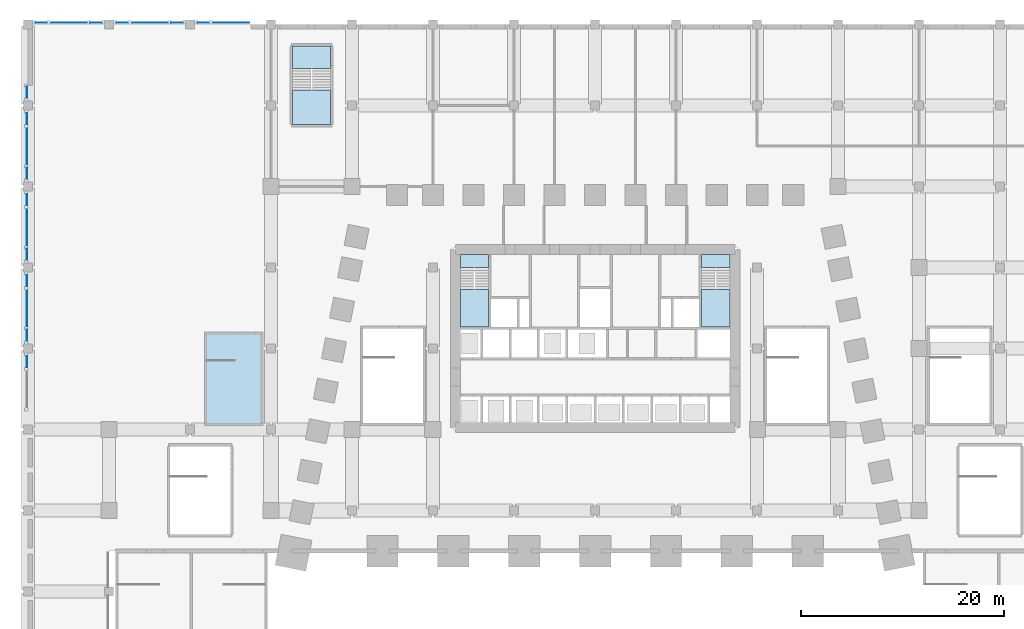
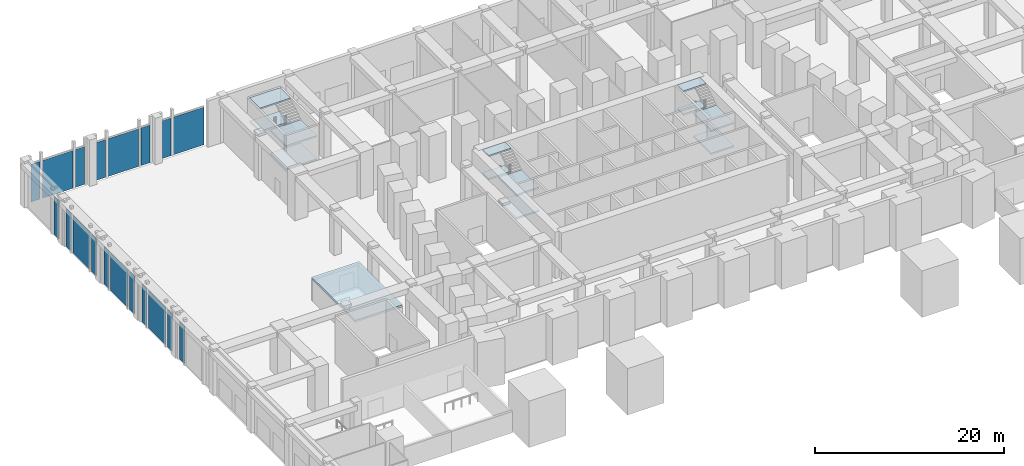
# One storey, part 4 of 28: 19 plates, 13 slabs, 11 elements without a shape of their own.
"""IFC4 building model written with IfcOpenShell, lengths in metres."""

from ifc_helpers import new_model, si_unit, direction, frame, origin, origin_2d, place, context, subcontext, project, spatial, polyline, rectangle, outline, extrude, material, layer, layer_set, type_object, element, aggregate, save


model = new_model("IFC4")

# Units and contexts
model_context = context("Model", 3, precision=1e-05, world=origin(), true_north=direction((0.0, 1.0)))
body_context = subcontext(model_context, "Body", "Model", "MODEL_VIEW")
ifc_project = project(units=[si_unit("LENGTHUNIT", "METRE"), si_unit("AREAUNIT", "SQUARE_METRE"), si_unit("VOLUMEUNIT", "CUBIC_METRE"), si_unit("PLANEANGLEUNIT", "RADIAN"), si_unit("MASSUNIT", "GRAM", prefix="KILO")], contexts=[model_context])

# Site, building, storey
site_placement = place(None, origin())
site = spatial("IfcSite", under=ifc_project, at=site_placement, CompositionType="ELEMENT")
building_placement = place(site_placement, origin())
building = spatial("IfcBuilding", under=site, at=building_placement, Name="Isbrekke Arena Tower", CompositionType="ELEMENT")
storey_placement = place(building_placement, origin())
storey = spatial("IfcBuildingStorey", under=building, at=storey_placement, Name="L00", CompositionType="ELEMENT", Elevation=0.0)

# Curtain wall, plate
ifc_material_1 = material(Name="Glazed aluminium curtain wall", Category="aluminium")
curtain_wall_type = type_object("IfcCurtainWallType", Name="CWP ATRIUM CURTAIN WALL", PredefinedType="USERDEFINED", material=ifc_material_1)
curtain_wall_1_placement = place(storey_placement, origin())
curtain_wall_1 = element("IfcCurtainWall", 1, at=curtain_wall_1_placement, inside=storey, type_object=curtain_wall_type, Name="CWP curtain wall L00-PW", ObjectType="ATRIUM CURTAIN WALL", PredefinedType="USERDEFINED")
ifc_material_2 = material(Name="Triple-glazed clear glass unit", Category="glass")
ifc_layer_1 = layer(ifc_material_2, 0.031982421875)
ifc_layer_set_1 = layer_set([ifc_layer_1], Name="CWP-P VISION PANEL")
plate_type = type_object("IfcPlateType", Name="CWP-P VISION PANEL", PredefinedType="CURTAIN_PANEL", material=ifc_layer_set_1)
plate_1_placement = place(storey_placement, frame((-56.10009765625, 39.300048828125, 0.02001953125), z_axis=(0.0, 0.0, 1.0), x_axis=(0.0, -1.0, 0.0)))
plate_1 = element("IfcPlate", 2, at=plate_1_placement, type_object=plate_type, Name="CWP-P panel 1", PredefinedType="CURTAIN_PANEL", context=body_context, shape_type="SweptSolid", body=[
    extrude(rectangle(XDim=1.10009765625, YDim=0.031982421875, at=origin_2d()), origin(), (0.0, 0.0, 1.0), 4.8798828125),
])
aggregate(curtain_wall_1, [plate_1])

# Curtain wall, plates
curtain_wall_2_placement = place(storey_placement, origin())
curtain_wall_2 = element("IfcCurtainWall", 3, at=curtain_wall_2_placement, inside=storey, type_object=curtain_wall_type, Name="CWP curtain wall L00-PW2", ObjectType="ATRIUM CURTAIN WALL", PredefinedType="USERDEFINED")
plate_2_placement = place(storey_placement, frame((-56.10009765625, 36.699951171875, 0.02001953125), z_axis=(0.0, 0.0, 1.0), x_axis=(0.0, -1.0, 0.0)))
plate_2 = element("IfcPlate", 4, at=plate_2_placement, type_object=plate_type, Name="CWP-P panel 1", PredefinedType="CURTAIN_PANEL", context=body_context, shape_type="SweptSolid", body=[
    extrude(rectangle(XDim=1.10009765625, YDim=0.031982421875, at=origin_2d()), origin(), (0.0, 0.0, 1.0), 4.8798828125),
])
plate_3_placement = place(storey_placement, frame((-56.10009765625, 34.0, 0.02001953125), z_axis=(0.0, 0.0, 1.0), x_axis=(0.0, -1.0, 0.0)))
plate_3 = element("IfcPlate", 5, at=plate_3_placement, type_object=plate_type, Name="CWP-P panel 2", PredefinedType="CURTAIN_PANEL", context=body_context, shape_type="SweptSolid", body=[
    extrude(rectangle(XDim=3.699951171875, YDim=0.031982421875, at=origin_2d()), origin(), (0.0, 0.0, 1.0), 4.8798828125),
])
plate_4_placement = place(storey_placement, frame((-56.10009765625, 31.300048828125, 0.02001953125), z_axis=(0.0, 0.0, 1.0), x_axis=(0.0, -1.0, 0.0)))
plate_4 = element("IfcPlate", 6, at=plate_4_placement, type_object=plate_type, Name="CWP-P panel 3", PredefinedType="CURTAIN_PANEL", context=body_context, shape_type="SweptSolid", body=[
    extrude(rectangle(XDim=1.10009765625, YDim=0.031982421875, at=origin_2d()), origin(), (0.0, 0.0, 1.0), 4.8798828125),
])
aggregate(curtain_wall_2, [plate_2, plate_3, plate_4])

curtain_wall_3_placement = place(storey_placement, origin())
curtain_wall_3 = element("IfcCurtainWall", 7, at=curtain_wall_3_placement, inside=storey, type_object=curtain_wall_type, Name="CWP curtain wall L00-PW3", ObjectType="ATRIUM CURTAIN WALL", PredefinedType="USERDEFINED")
plate_5_placement = place(storey_placement, frame((-56.10009765625, 28.699951171875, 0.02001953125), z_axis=(0.0, 0.0, 1.0), x_axis=(0.0, -1.0, 0.0)))
plate_5 = element("IfcPlate", 8, at=plate_5_placement, type_object=plate_type, Name="CWP-P panel 1", PredefinedType="CURTAIN_PANEL", context=body_context, shape_type="SweptSolid", body=[
    extrude(rectangle(XDim=1.10009765625, YDim=0.031982421875, at=origin_2d()), origin(), (0.0, 0.0, 1.0), 4.8798828125),
])
plate_6_placement = place(storey_placement, frame((-56.10009765625, 26.0, 0.02001953125), z_axis=(0.0, 0.0, 1.0), x_axis=(0.0, -1.0, 0.0)))
plate_6 = element("IfcPlate", 9, at=plate_6_placement, type_object=plate_type, Name="CWP-P panel 2", PredefinedType="CURTAIN_PANEL", context=body_context, shape_type="SweptSolid", body=[
    extrude(rectangle(XDim=3.699951171875, YDim=0.031982421875, at=origin_2d()), origin(), (0.0, 0.0, 1.0), 4.8798828125),
])
plate_7_placement = place(storey_placement, frame((-56.10009765625, 23.300048828125, 0.02001953125), z_axis=(0.0, 0.0, 1.0), x_axis=(0.0, -1.0, 0.0)))
plate_7 = element("IfcPlate", 10, at=plate_7_placement, type_object=plate_type, Name="CWP-P panel 3", PredefinedType="CURTAIN_PANEL", context=body_context, shape_type="SweptSolid", body=[
    extrude(rectangle(XDim=1.10009765625, YDim=0.031982421875, at=origin_2d()), origin(), (0.0, 0.0, 1.0), 4.8798828125),
])
aggregate(curtain_wall_3, [plate_5, plate_6, plate_7])

curtain_wall_4_placement = place(storey_placement, origin())
curtain_wall_4 = element("IfcCurtainWall", 11, at=curtain_wall_4_placement, inside=storey, type_object=curtain_wall_type, Name="CWP curtain wall L00-PW4", ObjectType="ATRIUM CURTAIN WALL", PredefinedType="USERDEFINED")
plate_8_placement = place(storey_placement, frame((-56.10009765625, 20.699951171875, 0.02001953125), z_axis=(0.0, 0.0, 1.0), x_axis=(0.0, -1.0, 0.0)))
plate_8 = element("IfcPlate", 12, at=plate_8_placement, type_object=plate_type, Name="CWP-P panel 1", PredefinedType="CURTAIN_PANEL", context=body_context, shape_type="SweptSolid", body=[
    extrude(rectangle(XDim=1.10009765625, YDim=0.031982421875, at=origin_2d()), origin(), (0.0, 0.0, 1.0), 4.8798828125),
])
plate_9_placement = place(storey_placement, frame((-56.10009765625, 18.0, 0.02001953125), z_axis=(0.0, 0.0, 1.0), x_axis=(0.0, -1.0, 0.0)))
plate_9 = element("IfcPlate", 13, at=plate_9_placement, type_object=plate_type, Name="CWP-P panel 2", PredefinedType="CURTAIN_PANEL", context=body_context, shape_type="SweptSolid", body=[
    extrude(rectangle(XDim=3.699951171875, YDim=0.031982421875, at=origin_2d()), origin(), (0.0, 0.0, 1.0), 4.8798828125),
])
plate_10_placement = place(storey_placement, frame((-56.10009765625, 15.300048828125, 0.02001953125), z_axis=(0.0, 0.0, 1.0), x_axis=(0.0, -1.0, 0.0)))
plate_10 = element("IfcPlate", 14, at=plate_10_placement, type_object=plate_type, Name="CWP-P panel 3", PredefinedType="CURTAIN_PANEL", context=body_context, shape_type="SweptSolid", body=[
    extrude(rectangle(XDim=1.10009765625, YDim=0.031982421875, at=origin_2d()), origin(), (0.0, 0.0, 1.0), 4.8798828125),
])
aggregate(curtain_wall_4, [plate_8, plate_9, plate_10])

# Curtain wall, plate
curtain_wall_5_placement = place(storey_placement, origin())
curtain_wall_5 = element("IfcCurtainWall", 15, at=curtain_wall_5_placement, inside=storey, type_object=curtain_wall_type, Name="CWP curtain wall L00-PW5", ObjectType="ATRIUM CURTAIN WALL", PredefinedType="USERDEFINED")
plate_11_placement = place(storey_placement, frame((-56.10009765625, 12.699951171875, 0.02001953125), z_axis=(0.0, 0.0, 1.0), x_axis=(0.0, -1.0, 0.0)))
plate_11 = element("IfcPlate", 16, at=plate_11_placement, type_object=plate_type, Name="CWP-P panel 1", PredefinedType="CURTAIN_PANEL", context=body_context, shape_type="SweptSolid", body=[
    extrude(rectangle(XDim=1.10009765625, YDim=0.031982421875, at=origin_2d()), origin(), (0.0, 0.0, 1.0), 4.8798828125),
])
aggregate(curtain_wall_5, [plate_11])

# Curtain wall, plates
curtain_wall_6_placement = place(storey_placement, origin())
curtain_wall_6 = element("IfcCurtainWall", 17, at=curtain_wall_6_placement, inside=storey, type_object=curtain_wall_type, Name="CWP curtain wall L00-PN", ObjectType="ATRIUM CURTAIN WALL", PredefinedType="USERDEFINED")
plate_12_placement = place(storey_placement, frame((-36.0, 46.175048828125, 0.02001953125), z_axis=(0.0, 0.0, 1.0), x_axis=(-1.0, 0.0, 0.0)))
plate_12 = element("IfcPlate", 18, at=plate_12_placement, type_object=plate_type, Name="CWP-P panel 1", PredefinedType="CURTAIN_PANEL", context=body_context, shape_type="SweptSolid", body=[
    extrude(rectangle(XDim=3.699951171875, YDim=0.031982421875, at=origin_2d()), origin(), (0.0, 0.0, 1.0), 4.8798828125),
])
plate_13_placement = place(storey_placement, frame((-38.699951171875, 46.175048828125, 0.02001953125), z_axis=(0.0, 0.0, 1.0), x_axis=(-1.0, 0.0, 0.0)))
plate_13 = element("IfcPlate", 19, at=plate_13_placement, type_object=plate_type, Name="CWP-P panel 2", PredefinedType="CURTAIN_PANEL", context=body_context, shape_type="SweptSolid", body=[
    extrude(rectangle(XDim=1.10009765625, YDim=0.031982421875, at=origin_2d()), origin(), (0.0, 0.0, 1.0), 4.8798828125),
])
aggregate(curtain_wall_6, [plate_12, plate_13])

curtain_wall_7_placement = place(storey_placement, origin())
curtain_wall_7 = element("IfcCurtainWall", 20, at=curtain_wall_7_placement, inside=storey, type_object=curtain_wall_type, Name="CWP curtain wall L00-PN2", ObjectType="ATRIUM CURTAIN WALL", PredefinedType="USERDEFINED")
plate_14_placement = place(storey_placement, frame((-41.300048828125, 46.175048828125, 0.02001953125), z_axis=(0.0, 0.0, 1.0), x_axis=(-1.0, 0.0, 0.0)))
plate_14 = element("IfcPlate", 21, at=plate_14_placement, type_object=plate_type, Name="CWP-P panel 1", PredefinedType="CURTAIN_PANEL", context=body_context, shape_type="SweptSolid", body=[
    extrude(rectangle(XDim=1.10009765625, YDim=0.031982421875, at=origin_2d()), origin(), (0.0, 0.0, 1.0), 4.8798828125),
])
plate_15_placement = place(storey_placement, frame((-44.0, 46.175048828125, 0.02001953125), z_axis=(0.0, 0.0, 1.0), x_axis=(-1.0, 0.0, 0.0)))
plate_15 = element("IfcPlate", 22, at=plate_15_placement, type_object=plate_type, Name="CWP-P panel 2", PredefinedType="CURTAIN_PANEL", context=body_context, shape_type="SweptSolid", body=[
    extrude(rectangle(XDim=3.699951171875, YDim=0.031982421875, at=origin_2d()), origin(), (0.0, 0.0, 1.0), 4.8798828125),
])
plate_16_placement = place(storey_placement, frame((-46.699951171875, 46.175048828125, 0.02001953125), z_axis=(0.0, 0.0, 1.0), x_axis=(-1.0, 0.0, 0.0)))
plate_16 = element("IfcPlate", 23, at=plate_16_placement, type_object=plate_type, Name="CWP-P panel 3", PredefinedType="CURTAIN_PANEL", context=body_context, shape_type="SweptSolid", body=[
    extrude(rectangle(XDim=1.10009765625, YDim=0.031982421875, at=origin_2d()), origin(), (0.0, 0.0, 1.0), 4.8798828125),
])
aggregate(curtain_wall_7, [plate_14, plate_15, plate_16])

curtain_wall_8_placement = place(storey_placement, origin())
curtain_wall_8 = element("IfcCurtainWall", 24, at=curtain_wall_8_placement, inside=storey, type_object=curtain_wall_type, Name="CWP curtain wall L00-PN3", ObjectType="ATRIUM CURTAIN WALL", PredefinedType="USERDEFINED")
plate_17_placement = place(storey_placement, frame((-49.300048828125, 46.175048828125, 0.02001953125), z_axis=(0.0, 0.0, 1.0), x_axis=(-1.0, 0.0, 0.0)))
plate_17 = element("IfcPlate", 25, at=plate_17_placement, type_object=plate_type, Name="CWP-P panel 1", PredefinedType="CURTAIN_PANEL", context=body_context, shape_type="SweptSolid", body=[
    extrude(rectangle(XDim=1.10009765625, YDim=0.031982421875, at=origin_2d()), origin(), (0.0, 0.0, 1.0), 4.8798828125),
])
plate_18_placement = place(storey_placement, frame((-52.0, 46.175048828125, 0.02001953125), z_axis=(0.0, 0.0, 1.0), x_axis=(-1.0, 0.0, 0.0)))
plate_18 = element("IfcPlate", 26, at=plate_18_placement, type_object=plate_type, Name="CWP-P panel 2", PredefinedType="CURTAIN_PANEL", context=body_context, shape_type="SweptSolid", body=[
    extrude(rectangle(XDim=3.699951171875, YDim=0.031982421875, at=origin_2d()), origin(), (0.0, 0.0, 1.0), 4.8798828125),
])
plate_19_placement = place(storey_placement, frame((-54.700927734375, 46.175048828125, 0.02001953125), z_axis=(0.0, 0.0, 1.0), x_axis=(-1.0, 0.0, 0.0)))
plate_19 = element("IfcPlate", 27, at=plate_19_placement, type_object=plate_type, Name="CWP-P panel 3", PredefinedType="CURTAIN_PANEL", context=body_context, shape_type="SweptSolid", body=[
    extrude(rectangle(XDim=1.10205078125, YDim=0.031982421875, at=origin_2d()), origin(), (0.0, 0.0, 1.0), 4.8798828125),
])
aggregate(curtain_wall_8, [plate_17, plate_18, plate_19])

# Stair, slabs
ifc_material_3 = material(Name="Concrete B45 (C45/55) precast", Category="concrete")
stair_type_1 = type_object("IfcStairType", Name="ST60 STAIR 1300 WIDE, 36 RISERS 167", PredefinedType="HALF_TURN_STAIR", material=ifc_material_3)
stair_1_placement = place(storey_placement, origin())
stair_1 = element("IfcStair", 28, at=stair_1_placement, inside=storey, type_object=stair_type_1, Name="ST1 stair L00", PredefinedType="HALF_TURN_STAIR")
ifc_material_4 = material(Name="Concrete B35 (C35/45)", Category="concrete")
ifc_layer_2 = layer(ifc_material_4, 0.199951171875)
ifc_layer_set_2 = layer_set([ifc_layer_2], Name="SL1 STAIR LANDING 200")
slab_type_1 = type_object("IfcSlabType", Name="SL1 STAIR LANDING 200", PredefinedType="LANDING", material=ifc_layer_set_2)
slab_1_placement = place(storey_placement, frame((0.0, 0.0, 1.300048828125)))
slab_1 = element("IfcSlab", 29, at=slab_1_placement, type_object=slab_type_1, Name="ST1 landing 1", PredefinedType="LANDING", context=body_context, shape_type="SweptSolid", body=[
    extrude(outline(polyline([(-13.300048828125, 16.125), (-10.52490234375, 16.125), (-10.52490234375, 19.840087890625), (-13.300048828125, 19.840087890625), (-13.300048828125, 16.125)])), origin(), (0.0, 0.0, 1.0), 0.199951171875),
])
slab_2_placement = place(storey_placement, frame((0.0, 0.0, 2.800048828125)))
slab_2 = element("IfcSlab", 30, at=slab_2_placement, type_object=slab_type_1, Name="ST1 landing 2", PredefinedType="LANDING", context=body_context, shape_type="SweptSolid", body=[
    extrude(outline(polyline([(-13.300048828125, 22.0), (-10.52490234375, 22.0), (-10.52490234375, 23.300048828125), (-13.300048828125, 23.300048828125), (-13.300048828125, 22.0)])), origin(), (0.0, 0.0, 1.0), 0.199951171875),
])
slab_3_placement = place(storey_placement, frame((0.0, 0.0, 4.300048828125)))
slab_3 = element("IfcSlab", 31, at=slab_3_placement, type_object=slab_type_1, Name="ST1 landing 3", PredefinedType="LANDING", context=body_context, shape_type="SweptSolid", body=[
    extrude(outline(polyline([(-13.300048828125, 16.125), (-10.52490234375, 16.125), (-10.52490234375, 19.840087890625), (-13.300048828125, 19.840087890625), (-13.300048828125, 16.125)])), origin(), (0.0, 0.0, 1.0), 0.199951171875),
])
slab_4_placement = place(storey_placement, frame((0.0, 0.0, 5.800048828125)))
slab_4 = element("IfcSlab", 32, at=slab_4_placement, type_object=slab_type_1, Name="ST1 landing 4", PredefinedType="LANDING", context=body_context, shape_type="SweptSolid", body=[
    extrude(outline(polyline([(-13.300048828125, 22.0), (-10.52490234375, 22.0), (-10.52490234375, 23.300048828125), (-13.300048828125, 23.300048828125), (-13.300048828125, 22.0)])), origin(), (0.0, 0.0, 1.0), 0.199951171875),
])
aggregate(stair_1, [slab_1, slab_2, slab_3, slab_4])

stair_2_placement = place(storey_placement, origin())
stair_2 = element("IfcStair", 33, at=stair_2_placement, inside=storey, type_object=stair_type_1, Name="ST2 stair L00", PredefinedType="HALF_TURN_STAIR")
slab_5_placement = place(storey_placement, frame((0.0, 0.0, 1.300048828125)))
slab_5 = element("IfcSlab", 34, at=slab_5_placement, type_object=slab_type_1, Name="ST2 landing 1", PredefinedType="LANDING", context=body_context, shape_type="SweptSolid", body=[
    extrude(outline(polyline([(10.52490234375, 16.125), (13.300048828125, 16.125), (13.300048828125, 19.840087890625), (10.52490234375, 19.840087890625), (10.52490234375, 16.125)])), origin(), (0.0, 0.0, 1.0), 0.199951171875),
])
slab_6_placement = place(storey_placement, frame((0.0, 0.0, 2.800048828125)))
slab_6 = element("IfcSlab", 35, at=slab_6_placement, type_object=slab_type_1, Name="ST2 landing 2", PredefinedType="LANDING", context=body_context, shape_type="SweptSolid", body=[
    extrude(outline(polyline([(10.52490234375, 22.0), (13.300048828125, 22.0), (13.300048828125, 23.300048828125), (10.52490234375, 23.300048828125), (10.52490234375, 22.0)])), origin(), (0.0, 0.0, 1.0), 0.199951171875),
])
slab_7_placement = place(storey_placement, frame((0.0, 0.0, 4.300048828125)))
slab_7 = element("IfcSlab", 36, at=slab_7_placement, type_object=slab_type_1, Name="ST2 landing 3", PredefinedType="LANDING", context=body_context, shape_type="SweptSolid", body=[
    extrude(outline(polyline([(10.52490234375, 16.125), (13.300048828125, 16.125), (13.300048828125, 19.840087890625), (10.52490234375, 19.840087890625), (10.52490234375, 16.125)])), origin(), (0.0, 0.0, 1.0), 0.199951171875),
])
slab_8_placement = place(storey_placement, frame((0.0, 0.0, 5.800048828125)))
slab_8 = element("IfcSlab", 37, at=slab_8_placement, type_object=slab_type_1, Name="ST2 landing 4", PredefinedType="LANDING", context=body_context, shape_type="SweptSolid", body=[
    extrude(outline(polyline([(10.52490234375, 22.0), (13.300048828125, 22.0), (13.300048828125, 23.300048828125), (10.52490234375, 23.300048828125), (10.52490234375, 22.0)])), origin(), (0.0, 0.0, 1.0), 0.199951171875),
])
aggregate(stair_2, [slab_5, slab_6, slab_7, slab_8])

ifc_material_5 = material(Name="Concrete B45 (C45/55) precast", Category="concrete")
stair_type_2 = type_object("IfcStairType", Name="ST60 STAIR 1800 WIDE, 36 RISERS 167", PredefinedType="HALF_TURN_STAIR", material=ifc_material_5)
stair_3_placement = place(storey_placement, origin())
stair_3 = element("IfcStair", 38, at=stair_3_placement, inside=storey, type_object=stair_type_2, Name="P2 stair L00", PredefinedType="HALF_TURN_STAIR")
slab_9_placement = place(storey_placement, frame((0.0, 0.0, 1.300048828125)))
slab_9 = element("IfcSlab", 39, at=slab_9_placement, type_object=slab_type_1, Name="P2 landing 1", PredefinedType="LANDING", context=body_context, shape_type="SweptSolid", body=[
    extrude(outline(polyline([(-29.875, 36.125), (-26.125, 36.125), (-26.125, 39.514892578125), (-29.875, 39.514892578125), (-29.875, 36.125)])), origin(), (0.0, 0.0, 1.0), 0.199951171875),
])
slab_10_placement = place(storey_placement, frame((0.0, 0.0, 2.800048828125)))
slab_10 = element("IfcSlab", 40, at=slab_10_placement, type_object=slab_type_1, Name="P2 landing 2", PredefinedType="LANDING", context=body_context, shape_type="SweptSolid", body=[
    extrude(outline(polyline([(-29.875, 41.675048828125), (-26.125, 41.675048828125), (-26.125, 43.875), (-29.875, 43.875), (-29.875, 41.675048828125)])), origin(), (0.0, 0.0, 1.0), 0.199951171875),
])
slab_11_placement = place(storey_placement, frame((0.0, 0.0, 4.300048828125)))
slab_11 = element("IfcSlab", 41, at=slab_11_placement, type_object=slab_type_1, Name="P2 landing 3", PredefinedType="LANDING", context=body_context, shape_type="SweptSolid", body=[
    extrude(outline(polyline([(-29.875, 36.125), (-26.125, 36.125), (-26.125, 39.514892578125), (-29.875, 39.514892578125), (-29.875, 36.125)])), origin(), (0.0, 0.0, 1.0), 0.199951171875),
])
slab_12_placement = place(storey_placement, frame((0.0, 0.0, 5.800048828125)))
slab_12 = element("IfcSlab", 42, at=slab_12_placement, type_object=slab_type_1, Name="P2 landing 4", PredefinedType="LANDING", context=body_context, shape_type="SweptSolid", body=[
    extrude(outline(polyline([(-29.875, 41.675048828125), (-26.125, 41.675048828125), (-26.125, 43.875), (-29.875, 43.875), (-29.875, 41.675048828125)])), origin(), (0.0, 0.0, 1.0), 0.199951171875),
])
aggregate(stair_3, [slab_9, slab_10, slab_11, slab_12])

# Slab
ifc_material_6 = material(Name="Concrete B45 (C45/55)", Category="concrete")
ifc_layer_3 = layer(ifc_material_6, 0.25)
ifc_layer_set_3 = layer_set([ifc_layer_3], Name="SR1 STAIR TOP SLAB 250")
slab_type_2 = type_object("IfcSlabType", Name="SR1 STAIR TOP SLAB 250", PredefinedType="FLOOR", material=ifc_layer_set_3)
slab_13_placement = place(storey_placement, frame((0.0, 0.0, 2.75)))
element("IfcSlab", 43, at=slab_13_placement, inside=storey, type_object=slab_type_2, Name="SR1 exit stair top slab X8", PredefinedType="FLOOR", context=body_context, shape_type="SweptSolid", body=[
    extrude(outline(polyline([(-38.60009765625, 6.39990234375), (-32.800048828125, 6.39990234375), (-32.800048828125, 15.639892578125), (-38.60009765625, 15.639892578125), (-38.60009765625, 6.39990234375)])), origin(), (0.0, 0.0, 1.0), 0.25),
])

save(model, "model.ifc")
